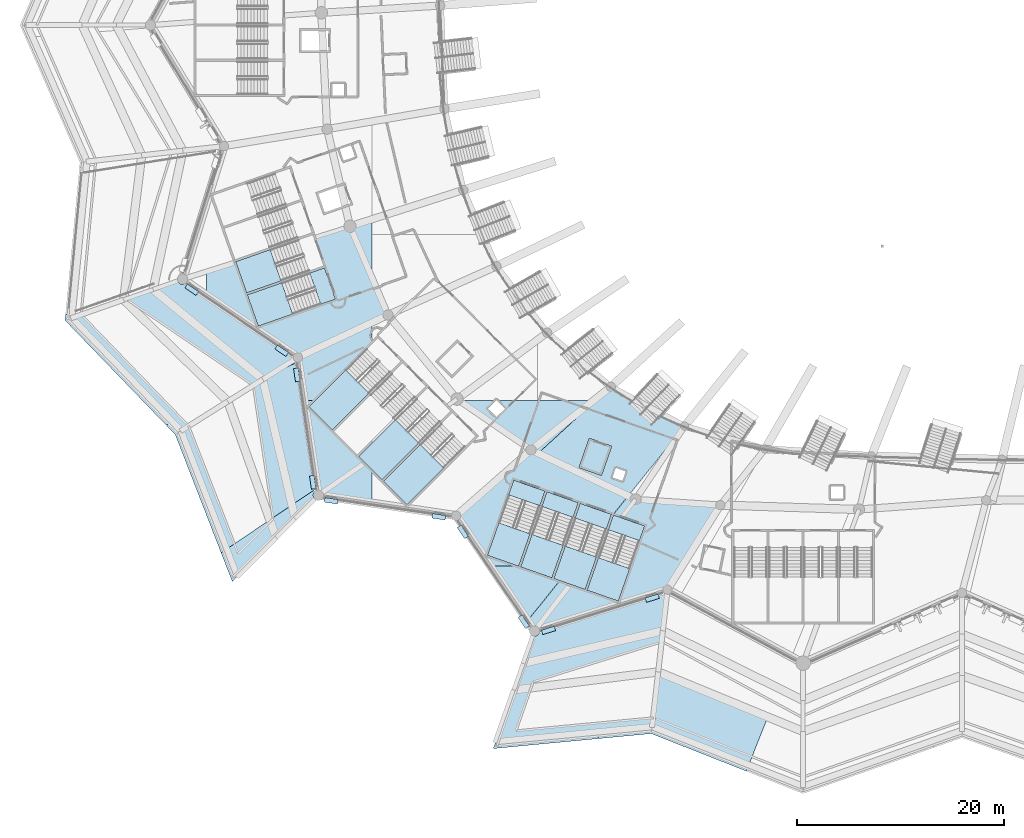
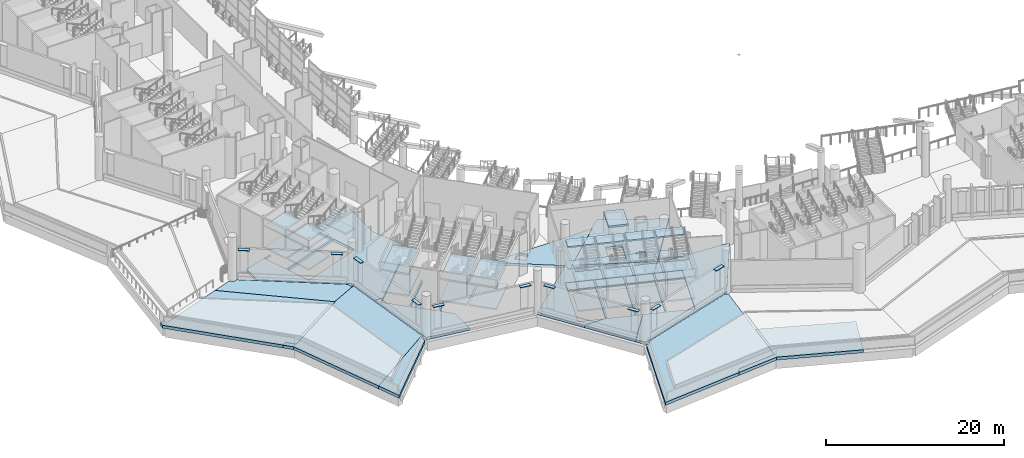
# One storey, part 21 of 173: 44 slabs, 10 plates, 9 elements without a shape of their own.
"""IFC4 building model written with IfcOpenShell, lengths in metres."""

from ifc_helpers import new_model, si_unit, direction, frame, origin, origin_2d, place, context, subcontext, project, spatial, polyline, rectangle, outline, extrude, material, layer, layer_set, type_object, element, aggregate, save


model = new_model("IFC4")

# Units and contexts
model_context = context("Model", 3, precision=1e-05, world=origin(), true_north=direction((0.0, 1.0)))
body_context = subcontext(model_context, "Body", "Model", "MODEL_VIEW")
ifc_project = project(units=[si_unit("LENGTHUNIT", "METRE"), si_unit("AREAUNIT", "SQUARE_METRE"), si_unit("VOLUMEUNIT", "CUBIC_METRE"), si_unit("PLANEANGLEUNIT", "RADIAN"), si_unit("MASSUNIT", "GRAM", prefix="KILO")], contexts=[model_context])

# Site, building, storey
site_placement = place(None, origin())
site = spatial("IfcSite", under=ifc_project, at=site_placement, CompositionType="ELEMENT")
building_placement = place(site_placement, origin())
building = spatial("IfcBuilding", under=site, at=building_placement, Name="Meseta Stadium", CompositionType="ELEMENT")
storey_placement = place(building_placement, frame((0.0, 0.0, 18.0)))
storey = spatial("IfcBuildingStorey", under=building, at=storey_placement, Name="L03", CompositionType="ELEMENT", Elevation=18.0)

# Slabs
ifc_material_1 = material(Name="Concrete C40/50", Category="concrete")
ifc_layer_1 = layer(ifc_material_1, 0.25)
ifc_layer_set_1 = layer_set([ifc_layer_1], Name="Core roof slab 250")
slab_type_1 = type_object("IfcSlabType", Name="Core roof slab 250", PredefinedType="ROOF", material=ifc_layer_set_1)
slab_1_placement = place(storey_placement, frame((0.0, 0.0, 4.60009765625)))
element("IfcSlab", 1, at=slab_1_placement, inside=storey, type_object=slab_type_1, Name="Core 22 lift overrun roof", PredefinedType="ROOF", context=body_context, shape_type="SweptSolid", body=[
    extrude(outline(polyline([(-59.990478515625, -86.500732421875), (-58.999755859375, -83.669189453125), (-56.828857421875, -84.4287109375), (-57.819580078125, -87.260498046875), (-59.990478515625, -86.500732421875)])), origin(), (0.0, 0.0, 1.0), 0.25),
])
ifc_material_2 = material(Name="Concrete C40/50", Category="concrete")
ifc_layer_2 = layer(ifc_material_2, 0.35009765625)
ifc_layer_set_2 = layer_set([ifc_layer_2], Name="Floor slab 350")
slab_type_2 = type_object("IfcSlabType", Name="Floor slab 350", PredefinedType="FLOOR", material=ifc_layer_set_2)
slab_2_placement = place(storey_placement, frame((0.0, 0.0, -0.35009765625)))
element("IfcSlab", 2, at=slab_2_placement, inside=storey, type_object=slab_type_2, Name="Floor slab L03 sector 35 panel 04", PredefinedType="FLOOR", context=body_context, shape_type="SweptSolid", body=[
    extrude(outline(polyline([(-80.0, -62.44580078125), (-85.63037109375, -64.211181640625), (-84.647705078125, -67.01953125), (-92.104248046875, -69.62890625), (-93.1611328125, -66.6083984375), (-92.1708984375, -66.26171875), (-96.0, -67.46240234375), (-96.0, -69.85205078125), (-87.15087890625, -75.856689453125), (-86.53564453125, -80.0), (-85.475341796875, -80.0), (-80.0, -74.524658203125), (-80.0, -72.84228515625), (-78.246337890625, -71.998779296875), (-78.4453125, -71.756103515625), (-80.0, -68.13232421875), (-80.0, -62.44580078125)]), holes=[polyline([(-92.0380859375, -69.8173828125), (-84.58154296875, -67.208251953125), (-83.524658203125, -70.228759765625), (-90.981201171875, -72.837890625), (-92.0380859375, -69.8173828125)])]), origin(), (0.0, 0.0, 1.0), 0.35009765625),
])
slab_3_placement = place(storey_placement, frame((0.0, 0.0, -0.35009765625)))
element("IfcSlab", 3, at=slab_3_placement, inside=storey, type_object=slab_type_2, Name="Floor slab L03 sector 35 panel 05", PredefinedType="FLOOR", context=body_context, shape_type="SweptSolid", body=[
    extrude(outline(polyline([(-83.688720703125, -83.02197265625), (-80.0, -79.3330078125), (-80.0, -79.05029296875), (-83.830078125, -82.880615234375), (-86.093017578125, -80.61767578125), (-85.475341796875, -80.0), (-86.53564453125, -80.0), (-85.173583984375, -89.173583984375), (-80.0, -89.94189453125), (-80.0, -86.710693359375), (-81.28466796875, -85.426025390625), (-80.0, -84.141357421875), (-80.0, -83.858642578125), (-81.426025390625, -85.28466796875), (-83.688720703125, -83.02197265625)])), origin(), (0.0, 0.0, 1.0), 0.35009765625),
])
slab_4_placement = place(storey_placement, frame((0.0, 0.0, -0.35009765625)))
element("IfcSlab", 4, at=slab_4_placement, inside=storey, type_object=slab_type_2, Name="Floor slab L03 sector 35 panel 12", PredefinedType="FLOOR", context=body_context, shape_type="SweptSolid", body=[
    extrude(outline(polyline([(-65.8173828125, -96.0380859375), (-65.9267578125, -96.0), (-68.56640625, -96.0), (-64.973388671875, -101.294921875), (-61.85107421875, -97.426025390625), (-62.419677734375, -97.227294921875), (-61.990234375, -96.0), (-62.201904296875, -96.0), (-62.6083984375, -97.1611328125), (-65.62890625, -96.104248046875), (-65.59228515625, -96.0), (-65.80419921875, -96.0), (-65.8173828125, -96.0380859375)])), origin(), (0.0, 0.0, 1.0), 0.35009765625),
])
slab_5_placement = place(storey_placement, frame((0.0, 0.0, -0.35009765625)))
element("IfcSlab", 5, at=slab_5_placement, inside=storey, type_object=slab_type_2, Name="Floor slab L03 sector 35 panel 13", PredefinedType="FLOOR", context=body_context, shape_type="SweptSolid", body=[
    extrude(outline(polyline([(-67.114501953125, -80.802001953125), (-67.963134765625, -81.650390625), (-68.811767578125, -80.802001953125), (-68.009765625, -80.0), (-71.61328125, -80.0), (-64.6220703125, -84.79248046875), (-71.856689453125, -91.15087890625), (-68.56640625, -96.0), (-65.9267578125, -96.0), (-68.837890625, -94.981201171875), (-66.294921875, -87.71337890625), (-63.2744140625, -88.770263671875), (-65.80419921875, -96.0), (-65.59228515625, -96.0), (-63.085693359375, -88.836181640625), (-60.065185546875, -89.893310546875), (-62.201904296875, -96.0), (-61.990234375, -96.0), (-59.87646484375, -89.959228515625), (-56.85595703125, -91.01611328125), (-56.9921875, -91.40576171875), (-55.242919921875, -89.238037109375), (-63.932373046875, -85.119384765625), (-58.33984375, -80.0), (-67.91650390625, -80.0), (-67.114501953125, -80.802001953125)])), origin(), (0.0, 0.0, 1.0), 0.35009765625),
])
slab_6_placement = place(storey_placement, frame((0.0, 0.0, -0.35009765625)))
element("IfcSlab", 6, at=slab_6_placement, inside=storey, type_object=slab_type_2, Name="Floor slab L03 sector 35 panel 15", PredefinedType="FLOOR", context=body_context, shape_type="SweptSolid", body=[
    extrude(outline(polyline([(-54.63330078125, -80.13134765625), (-55.786865234375, -79.433837890625), (-56.9150390625, -78.69580078125), (-58.563720703125, -80.0), (-58.33984375, -80.0), (-63.932373046875, -85.119384765625), (-55.242919921875, -89.238037109375), (-49.80078125, -82.494873046875), (-51.03271484375, -81.971923828125), (-52.254638671875, -81.401123046875), (-53.455322265625, -80.78759765625), (-54.63330078125, -80.13134765625)]), holes=[polyline([(-57.9423828125, -87.005615234375), (-59.735595703125, -86.378173828125), (-58.876953125, -83.924072265625), (-57.08349609375, -84.551513671875), (-57.9423828125, -87.005615234375)]), polyline([(-55.787841796875, -87.8125), (-56.779052734375, -87.4658203125), (-56.44873046875, -86.521728515625), (-55.45751953125, -86.86865234375), (-55.787841796875, -87.8125)])]), origin(), (0.0, 0.0, 1.0), 0.35009765625),
])
slab_7_placement = place(storey_placement, frame((0.0, 0.0, -0.35009765625)))
element("IfcSlab", 7, at=slab_7_placement, inside=storey, type_object=slab_type_2, Name="Floor slab L03 sector 42 panel 01", PredefinedType="FLOOR", context=body_context, shape_type="SweptSolid", body=[
    extrude(outline(polyline([(-59.399169921875, -98.2841796875), (-61.8310546875, -97.43310546875), (-64.961669921875, -101.312255859375), (-64.297607421875, -102.291015625), (-51.44140625, -98.29443359375), (-46.333251953125, -90.126220703125), (-54.523193359375, -89.579345703125), (-55.224365234375, -89.246826171875), (-57.011962890625, -91.4619140625), (-59.399169921875, -98.2841796875)]), holes=[polyline([(-56.667236328125, -91.082275390625), (-53.646728515625, -92.13916015625), (-56.18994140625, -99.406982421875), (-59.21044921875, -98.35009765625), (-56.667236328125, -91.082275390625)])]), origin(), (0.0, 0.0, 1.0), 0.35009765625),
])

# Plates
ifc_material_3 = material(Name="White precast concrete C40/50", Category="concrete")
ifc_layer_3 = layer(ifc_material_3, 0.080078125)
ifc_layer_set_3 = layer_set([ifc_layer_3], Name="Louvre hood 1300x450")
plate_type = type_object("IfcPlateType", Name="Louvre hood 1300x450", PredefinedType="USERDEFINED", material=ifc_layer_set_3)
for number, where, z_axis, x_axis, name in (
    (8, (-88.712646484375, -75.219970703125, 4.25), (0.0, 0.0, 1.0), (0.827483291834, -0.561490339842, 0.0), "Louvre hood L03 F38"),
    (9, (-97.401123046875, -69.32421875, 4.25), (0.0, 0.0, 1.0), (0.827483291834, -0.561490339842, 0.0), "Louvre hood L03 F38"),
    (10, (-87.254638671875, -77.540283203125, 4.25), (0.0, 0.0, 1.0), (0.146853771096, -0.989158212782, 0.0), "Louvre hood L03 F39"),
    (11, (-85.712646484375, -87.926513671875, 4.25), (0.0, 0.0, 1.0), (0.146853771096, -0.989158212782, 0.0), "Louvre hood L03 F39"),
    (12, (-73.540283203125, -91.254638671875, 4.25), (0.0, 0.0, 1.0), (0.989158212782, -0.146853771096, 0.0), "Louvre hood L03 F40"),
    (13, (-83.926513671875, -89.712646484375, 4.25), (0.0, 0.0, 1.0), (0.989158212782, -0.146853771096, 0.0), "Louvre hood L03 F40"),
    (14, (-71.219970703125, -92.712646484375, 4.25), (0.0, 0.0, 1.0), (0.561490339842, -0.827483291834, 0.0), "Louvre hood L03 F41"),
    (15, (-65.32421875, -101.401123046875, 4.25), (0.0, 0.0, 1.0), (0.561490339842, -0.827483291834, 0.0), "Louvre hood L03 F41"),
    (16, (-52.9130859375, -99.118408203125, 4.25), (0.0, 0.0, 1.0), (0.954918218455, 0.296868988045, 0.0), "Louvre hood L03 F42"),
    (17, (-62.93994140625, -102.235595703125, 4.25), (0.0, 0.0, 1.0), (0.954918218455, 0.296868988045, 0.0), "Louvre hood L03 F42"),
):
    element("IfcPlate", number, at=place(storey_placement, frame(where, z_axis=z_axis, x_axis=x_axis)), inside=storey, type_object=plate_type, Name=name, ObjectType="LOUVRE", PredefinedType="USERDEFINED", context=body_context, shape_type="SweptSolid", body=[
        extrude(rectangle(XDim=1.300048828125, YDim=0.449951171875, at=origin_2d()), origin(), (0.0, 0.0, 1.0), 0.080078125),
    ])

# Slabs
ifc_material_4 = material(Name="Concrete C40/50", Category="concrete")
ifc_layer_4 = layer(ifc_material_4, 0.39990234375)
ifc_layer_set_4 = layer_set([ifc_layer_4], Name="Roof garden slab 400")
slab_type_3 = type_object("IfcSlabType", Name="Roof garden slab 400", PredefinedType="ROOF", material=ifc_layer_set_4)
slab_8_placement = place(storey_placement, frame((0.0, 0.0, -0.39990234375)))
element("IfcSlab", 18, at=slab_8_placement, inside=storey, type_object=slab_type_3, Name="Roof garden slab 6 panel 01", PredefinedType="ROOF", context=body_context, shape_type="SweptSolid", body=[
    extrude(outline(polyline([(-63.94091796875, -102.647705078125), (-64.04541015625, -102.727783203125), (-64.1669921875, -102.7783203125), (-64.297607421875, -102.79541015625), (-64.427978515625, -102.7783203125), (-64.462890625, -102.763916015625), (-68.273193359375, -113.6533203125), (-58.19482421875, -112.697998046875), (-54.630126953125, -106.531005859375), (-57.842529296875, -112.08837890625), (-52.94189453125, -111.610107421875), (-51.491943359375, -98.74169921875), (-51.558837890625, -98.73291015625), (-51.66845703125, -98.6875), (-51.762451171875, -98.615478515625), (-51.802001953125, -98.563720703125), (-63.793212890625, -102.29150390625), (-63.810302734375, -102.421630859375), (-63.860595703125, -102.543212890625), (-63.94091796875, -102.647705078125)])), origin(), (0.0, 0.0, 1.0), 0.39990234375),
])
slab_9_placement = place(storey_placement, frame((0.0, 0.0, -0.39990234375)))
element("IfcSlab", 19, at=slab_9_placement, inside=storey, type_object=slab_type_3, Name="Roof garden slab 6 panel 02", PredefinedType="ROOF", context=body_context, shape_type="SweptSolid", body=[
    extrude(outline(polyline([(-52.94189453125, -111.610107421875), (-57.842529296875, -112.08837890625), (-58.19482421875, -112.697998046875), (-53.009033203125, -112.206298828125), (-43.822509765625, -115.8330078125), (-41.7451171875, -110.59765625), (-52.337158203125, -106.244140625), (-52.94189453125, -111.610107421875)])), origin(), (0.0, 0.0, 1.0), 0.39990234375),
])
slab_10_placement = place(storey_placement, frame((0.0, 0.0, -0.39990234375)))
element("IfcSlab", 20, at=slab_10_placement, inside=storey, type_object=slab_type_3, Name="Roof garden slab 5 part 2 panel 04", PredefinedType="ROOF", context=body_context, shape_type="SweptSolid", body=[
    extrude(outline(polyline([(-90.53759765625, -77.98486328125), (-90.55322265625, -77.91748046875), (-90.59521484375, -77.937744140625), (-101.140380859375, -69.29443359375), (-109.0869140625, -72.0751953125), (-109.03564453125, -71.54931640625), (-109.601318359375, -71.726806640625), (-109.6533203125, -72.273193359375), (-99.877197265625, -82.401611328125), (-99.322998046875, -82.135009765625), (-98.496826171875, -82.986083984375), (-90.53759765625, -77.98486328125)])), origin(), (0.0, 0.0, 1.0), 0.39990234375),
])
slab_11_placement = place(storey_placement, frame((0.0, 0.0, -0.39990234375)))
element("IfcSlab", 21, at=slab_11_placement, inside=storey, type_object=slab_type_3, Name="Roof garden slab 5 part 2 panel 05", PredefinedType="ROOF", context=body_context, shape_type="SweptSolid", body=[
    extrude(outline(polyline([(-98.421630859375, -68.78466796875), (-98.543212890625, -68.734130859375), (-98.647705078125, -68.654052734375), (-98.727783203125, -68.549560546875), (-98.763916015625, -68.462890625), (-101.140380859375, -69.29443359375), (-90.59521484375, -77.937744140625), (-87.2333984375, -76.32080078125), (-87.23681640625, -76.29931640625), (-87.268310546875, -76.295166015625), (-87.377685546875, -76.249755859375), (-87.4716796875, -76.177734375), (-87.5439453125, -76.083740234375), (-87.589111328125, -75.97412109375), (-87.604736328125, -75.856689453125), (-87.58935546875, -75.740478515625), (-97.980712890625, -68.689453125), (-98.0390625, -68.734130859375), (-98.16064453125, -68.78466796875), (-98.291015625, -68.8017578125), (-98.421630859375, -68.78466796875)])), origin(), (0.0, 0.0, 1.0), 0.39990234375),
])
slab_12_placement = place(storey_placement, frame((0.0, 0.0, -0.39990234375)))
element("IfcSlab", 22, at=slab_12_placement, inside=storey, type_object=slab_type_3, Name="Roof garden slab 5 part 2 panel 06", PredefinedType="ROOF", context=body_context, shape_type="SweptSolid", body=[
    extrude(outline(polyline([(-99.322998046875, -82.135009765625), (-99.877197265625, -82.401611328125), (-99.0048828125, -83.30517578125), (-94.5693359375, -94.735107421875), (-85.4169921875, -88.556640625), (-87.2333984375, -76.32080078125), (-90.55322265625, -77.91748046875), (-90.53759765625, -77.98486328125), (-98.496826171875, -82.986083984375), (-99.322998046875, -82.135009765625)])), origin(), (0.0, 0.0, 1.0), 0.39990234375),
])
slab_13_placement = place(storey_placement, frame((0.0, 0.0, -0.39990234375)))
element("IfcSlab", 23, at=slab_13_placement, inside=storey, type_object=slab_type_3, Name="Roof garden slab 5 part 2 panel 07", PredefinedType="ROOF", context=body_context, shape_type="SweptSolid", body=[
    extrude(outline(polyline([(-85.4169921875, -88.556640625), (-94.5693359375, -94.735107421875), (-93.49755859375, -97.49755859375), (-85.5302734375, -89.5302734375), (-85.610595703125, -89.42578125), (-85.660888671875, -89.30419921875), (-85.677978515625, -89.173583984375), (-85.660888671875, -89.043212890625), (-85.610595703125, -88.921630859375), (-85.5302734375, -88.817138671875), (-85.42578125, -88.737060546875), (-85.392333984375, -88.722900390625), (-85.4169921875, -88.556640625)])), origin(), (0.0, 0.0, 1.0), 0.39990234375),
])

# Stair, slabs
ifc_material_5 = material(Name="Concrete C40/50", Category="concrete")
stair_type = type_object("IfcStairType", Name="Exit stair 4 flights 150 mm risers", PredefinedType="HALF_TURN_STAIR", material=ifc_material_5)
stair_1_placement = place(storey_placement, origin())
stair_1 = element("IfcStair", 24, at=stair_1_placement, inside=storey, type_object=stair_type, Name="ST79 L03", PredefinedType="HALF_TURN_STAIR")
ifc_material_6 = material(Name="Concrete C40/50", Category="concrete")
ifc_layer_5 = layer(ifc_material_6, 0.199951171875)
ifc_layer_set_5 = layer_set([ifc_layer_5], Name="Stair landing 200")
slab_type_4 = type_object("IfcSlabType", Name="Stair landing 200", PredefinedType="LANDING", material=ifc_layer_set_5)
slab_14_placement = place(storey_placement, frame((0.0, 0.0, 1.300048828125)))
slab_14 = element("IfcSlab", 25, at=slab_14_placement, type_object=slab_type_4, Name="ST79 L03 landing 1", PredefinedType="LANDING", context=body_context, shape_type="SweptSolid", body=[
    extrude(outline(polyline([(-89.829345703125, -65.4423828125), (-93.1611328125, -66.6083984375), (-92.104248046875, -69.628662109375), (-88.772216796875, -68.462890625), (-89.829345703125, -65.4423828125)])), origin(), (0.0, 0.0, 1.0), 0.199951171875),
])
slab_15_placement = place(storey_placement, frame((0.0, 0.0, 4.300048828125)))
slab_15 = element("IfcSlab", 26, at=slab_15_placement, type_object=slab_type_4, Name="ST79 L03 landing 3", PredefinedType="LANDING", context=body_context, shape_type="SweptSolid", body=[
    extrude(outline(polyline([(-89.829345703125, -65.4423828125), (-93.1611328125, -66.6083984375), (-92.104248046875, -69.628662109375), (-88.772216796875, -68.462890625), (-89.829345703125, -65.4423828125)])), origin(), (0.0, 0.0, 1.0), 0.199951171875),
])
aggregate(stair_1, [slab_14, slab_15])

stair_2_placement = place(storey_placement, origin())
stair_2 = element("IfcStair", 27, at=stair_2_placement, inside=storey, type_object=stair_type, Name="ST80 L03", PredefinedType="HALF_TURN_STAIR")
slab_16_placement = place(storey_placement, frame((0.0, 0.0, 1.300048828125)))
slab_16 = element("IfcSlab", 28, at=slab_16_placement, type_object=slab_type_4, Name="ST80 L03 landing 1", PredefinedType="LANDING", context=body_context, shape_type="SweptSolid", body=[
    extrude(outline(polyline([(-88.706298828125, -68.651611328125), (-92.0380859375, -69.817626953125), (-90.981201171875, -72.837890625), (-87.6494140625, -71.672119140625), (-88.706298828125, -68.651611328125)])), origin(), (0.0, 0.0, 1.0), 0.199951171875),
])
slab_17_placement = place(storey_placement, frame((0.0, 0.0, 2.800048828125)))
slab_17 = element("IfcSlab", 29, at=slab_17_placement, type_object=slab_type_4, Name="ST80 L03 landing 2", PredefinedType="LANDING", context=body_context, shape_type="SweptSolid", body=[
    extrude(outline(polyline([(-84.58154296875, -67.208251953125), (-86.0068359375, -67.70703125), (-84.949951171875, -70.7275390625), (-83.524658203125, -70.228759765625), (-84.58154296875, -67.208251953125)])), origin(), (0.0, 0.0, 1.0), 0.199951171875),
])
slab_18_placement = place(storey_placement, frame((0.0, 0.0, 4.300048828125)))
slab_18 = element("IfcSlab", 30, at=slab_18_placement, type_object=slab_type_4, Name="ST80 L03 landing 3", PredefinedType="LANDING", context=body_context, shape_type="SweptSolid", body=[
    extrude(outline(polyline([(-88.706298828125, -68.651611328125), (-92.0380859375, -69.817626953125), (-90.981201171875, -72.837890625), (-87.6494140625, -71.672119140625), (-88.706298828125, -68.651611328125)])), origin(), (0.0, 0.0, 1.0), 0.199951171875),
])
aggregate(stair_2, [slab_16, slab_17, slab_18])

stair_3_placement = place(storey_placement, origin())
stair_3 = element("IfcStair", 31, at=stair_3_placement, inside=storey, type_object=stair_type, Name="ST81 L03", PredefinedType="HALF_TURN_STAIR")
slab_19_placement = place(storey_placement, frame((0.0, 0.0, 1.300048828125)))
slab_19 = element("IfcSlab", 32, at=slab_19_placement, type_object=slab_type_4, Name="ST81 L03 landing 1", PredefinedType="LANDING", context=body_context, shape_type="SweptSolid", body=[
    extrude(outline(polyline([(-82.5361328125, -77.06103515625), (-86.093017578125, -80.61767578125), (-83.830322265625, -82.88037109375), (-80.2734375, -79.32373046875), (-82.5361328125, -77.06103515625)])), origin(), (0.0, 0.0, 1.0), 0.199951171875),
])
slab_20_placement = place(storey_placement, frame((0.0, 0.0, 4.300048828125)))
slab_20 = element("IfcSlab", 33, at=slab_20_placement, type_object=slab_type_4, Name="ST81 L03 landing 3", PredefinedType="LANDING", context=body_context, shape_type="SweptSolid", body=[
    extrude(outline(polyline([(-82.5361328125, -77.06103515625), (-86.093017578125, -80.61767578125), (-83.830322265625, -82.88037109375), (-80.2734375, -79.32373046875), (-82.5361328125, -77.06103515625)])), origin(), (0.0, 0.0, 1.0), 0.199951171875),
])
aggregate(stair_3, [slab_19, slab_20])

stair_4_placement = place(storey_placement, origin())
stair_4 = element("IfcStair", 34, at=stair_4_placement, inside=storey, type_object=stair_type, Name="ST83 L03", PredefinedType="HALF_TURN_STAIR")
slab_21_placement = place(storey_placement, frame((0.0, 0.0, 1.300048828125)))
slab_21 = element("IfcSlab", 35, at=slab_21_placement, type_object=slab_type_4, Name="ST83 L03 landing 1", PredefinedType="LANDING", context=body_context, shape_type="SweptSolid", body=[
    extrude(outline(polyline([(-77.727783203125, -81.869384765625), (-81.28466796875, -85.426025390625), (-79.02197265625, -87.688720703125), (-75.465087890625, -84.132080078125), (-77.727783203125, -81.869384765625)])), origin(), (0.0, 0.0, 1.0), 0.199951171875),
])
slab_22_placement = place(storey_placement, frame((0.0, 0.0, 4.300048828125)))
slab_22 = element("IfcSlab", 36, at=slab_22_placement, type_object=slab_type_4, Name="ST83 L03 landing 3", PredefinedType="LANDING", context=body_context, shape_type="SweptSolid", body=[
    extrude(outline(polyline([(-77.727783203125, -81.869384765625), (-81.28466796875, -85.426025390625), (-79.02197265625, -87.688720703125), (-75.465087890625, -84.132080078125), (-77.727783203125, -81.869384765625)])), origin(), (0.0, 0.0, 1.0), 0.199951171875),
])
aggregate(stair_4, [slab_21, slab_22])

stair_5_placement = place(storey_placement, origin())
stair_5 = element("IfcStair", 37, at=stair_5_placement, inside=storey, type_object=stair_type, Name="ST84 L03", PredefinedType="HALF_TURN_STAIR")
slab_23_placement = place(storey_placement, frame((0.0, 0.0, 1.300048828125)))
slab_23 = element("IfcSlab", 38, at=slab_23_placement, type_object=slab_type_4, Name="ST84 L03 landing 1", PredefinedType="LANDING", context=body_context, shape_type="SweptSolid", body=[
    extrude(outline(polyline([(-75.32373046875, -84.2734375), (-78.88037109375, -87.830322265625), (-76.61767578125, -90.093017578125), (-73.06103515625, -86.5361328125), (-75.32373046875, -84.2734375)])), origin(), (0.0, 0.0, 1.0), 0.199951171875),
])
slab_24_placement = place(storey_placement, frame((0.0, 0.0, 4.300048828125)))
slab_24 = element("IfcSlab", 39, at=slab_24_placement, type_object=slab_type_4, Name="ST84 L03 landing 3", PredefinedType="LANDING", context=body_context, shape_type="SweptSolid", body=[
    extrude(outline(polyline([(-75.32373046875, -84.2734375), (-78.88037109375, -87.830322265625), (-76.61767578125, -90.093017578125), (-73.06103515625, -86.5361328125), (-75.32373046875, -84.2734375)])), origin(), (0.0, 0.0, 1.0), 0.199951171875),
])
aggregate(stair_5, [slab_23, slab_24])

stair_6_placement = place(storey_placement, origin())
stair_6 = element("IfcStair", 40, at=stair_6_placement, inside=storey, type_object=stair_type, Name="ST85 L03", PredefinedType="HALF_TURN_STAIR")
slab_25_placement = place(storey_placement, frame((0.0, 0.0, 1.300048828125)))
slab_25 = element("IfcSlab", 41, at=slab_25_placement, type_object=slab_type_4, Name="ST85 L03 landing 1", PredefinedType="LANDING", context=body_context, shape_type="SweptSolid", body=[
    extrude(outline(polyline([(-67.738037109375, -91.838134765625), (-68.837890625, -94.981201171875), (-65.817626953125, -96.0380859375), (-64.7177734375, -92.89501953125), (-67.738037109375, -91.838134765625)])), origin(), (0.0, 0.0, 1.0), 0.199951171875),
])
slab_26_placement = place(storey_placement, frame((0.0, 0.0, 2.800048828125)))
slab_26 = element("IfcSlab", 42, at=slab_26_placement, type_object=slab_type_4, Name="ST85 L03 landing 2", PredefinedType="LANDING", context=body_context, shape_type="SweptSolid", body=[
    extrude(outline(polyline([(-66.294921875, -87.71337890625), (-66.79345703125, -89.138671875), (-63.773193359375, -90.195556640625), (-63.2744140625, -88.770263671875), (-66.294921875, -87.71337890625)])), origin(), (0.0, 0.0, 1.0), 0.199951171875),
])
slab_27_placement = place(storey_placement, frame((0.0, 0.0, 4.300048828125)))
slab_27 = element("IfcSlab", 43, at=slab_27_placement, type_object=slab_type_4, Name="ST85 L03 landing 3", PredefinedType="LANDING", context=body_context, shape_type="SweptSolid", body=[
    extrude(outline(polyline([(-67.738037109375, -91.838134765625), (-68.837890625, -94.981201171875), (-65.817626953125, -96.0380859375), (-64.7177734375, -92.89501953125), (-67.738037109375, -91.838134765625)])), origin(), (0.0, 0.0, 1.0), 0.199951171875),
])
slab_28_placement = place(storey_placement, frame((0.0, 0.0, -0.199951171875)))
slab_28 = element("IfcSlab", 44, at=slab_28_placement, type_object=slab_type_4, Name="ST85 L03 landing 4", PredefinedType="LANDING", context=body_context, shape_type="SweptSolid", body=[
    extrude(outline(polyline([(-66.294921875, -87.71337890625), (-66.79345703125, -89.138671875), (-63.773193359375, -90.195556640625), (-63.2744140625, -88.770263671875), (-66.294921875, -87.71337890625)])), origin(), (0.0, 0.0, 1.0), 0.199951171875),
])
slab_29_placement = place(storey_placement, frame((0.0, 0.0, 5.800048828125)))
slab_29 = element("IfcSlab", 45, at=slab_29_placement, type_object=slab_type_4, Name="ST85 L03 landing 5", PredefinedType="LANDING", context=body_context, shape_type="SweptSolid", body=[
    extrude(outline(polyline([(-66.294921875, -87.71337890625), (-66.79345703125, -89.138671875), (-63.773193359375, -90.195556640625), (-63.2744140625, -88.770263671875), (-66.294921875, -87.71337890625)])), origin(), (0.0, 0.0, 1.0), 0.199951171875),
])
aggregate(stair_6, [slab_25, slab_26, slab_27, slab_28, slab_29])

stair_7_placement = place(storey_placement, origin())
stair_7 = element("IfcStair", 46, at=stair_7_placement, inside=storey, type_object=stair_type, Name="ST86 L03", PredefinedType="HALF_TURN_STAIR")
slab_30_placement = place(storey_placement, frame((0.0, 0.0, 1.300048828125)))
slab_30 = element("IfcSlab", 47, at=slab_30_placement, type_object=slab_type_4, Name="ST86 L03 landing 1", PredefinedType="LANDING", context=body_context, shape_type="SweptSolid", body=[
    extrude(outline(polyline([(-64.529052734375, -92.961181640625), (-65.628662109375, -96.104248046875), (-62.6083984375, -97.1611328125), (-61.508544921875, -94.01806640625), (-64.529052734375, -92.961181640625)])), origin(), (0.0, 0.0, 1.0), 0.199951171875),
])
slab_31_placement = place(storey_placement, frame((0.0, 0.0, 2.800048828125)))
slab_31 = element("IfcSlab", 48, at=slab_31_placement, type_object=slab_type_4, Name="ST86 L03 landing 2", PredefinedType="LANDING", context=body_context, shape_type="SweptSolid", body=[
    extrude(outline(polyline([(-63.085693359375, -88.83642578125), (-63.584228515625, -90.26171875), (-60.56396484375, -91.318603515625), (-60.065185546875, -89.893310546875), (-63.085693359375, -88.83642578125)])), origin(), (0.0, 0.0, 1.0), 0.199951171875),
])
slab_32_placement = place(storey_placement, frame((0.0, 0.0, 4.300048828125)))
slab_32 = element("IfcSlab", 49, at=slab_32_placement, type_object=slab_type_4, Name="ST86 L03 landing 3", PredefinedType="LANDING", context=body_context, shape_type="SweptSolid", body=[
    extrude(outline(polyline([(-64.529052734375, -92.961181640625), (-65.628662109375, -96.104248046875), (-62.6083984375, -97.1611328125), (-61.508544921875, -94.01806640625), (-64.529052734375, -92.961181640625)])), origin(), (0.0, 0.0, 1.0), 0.199951171875),
])
slab_33_placement = place(storey_placement, frame((0.0, 0.0, -0.199951171875)))
slab_33 = element("IfcSlab", 50, at=slab_33_placement, type_object=slab_type_4, Name="ST86 L03 landing 4", PredefinedType="LANDING", context=body_context, shape_type="SweptSolid", body=[
    extrude(outline(polyline([(-63.085693359375, -88.83642578125), (-63.584228515625, -90.26171875), (-60.56396484375, -91.318603515625), (-60.065185546875, -89.893310546875), (-63.085693359375, -88.83642578125)])), origin(), (0.0, 0.0, 1.0), 0.199951171875),
])
slab_34_placement = place(storey_placement, frame((0.0, 0.0, 5.800048828125)))
slab_34 = element("IfcSlab", 51, at=slab_34_placement, type_object=slab_type_4, Name="ST86 L03 landing 5", PredefinedType="LANDING", context=body_context, shape_type="SweptSolid", body=[
    extrude(outline(polyline([(-63.085693359375, -88.83642578125), (-63.584228515625, -90.26171875), (-60.56396484375, -91.318603515625), (-60.065185546875, -89.893310546875), (-63.085693359375, -88.83642578125)])), origin(), (0.0, 0.0, 1.0), 0.199951171875),
])
aggregate(stair_7, [slab_30, slab_31, slab_32, slab_33, slab_34])

stair_8_placement = place(storey_placement, origin())
stair_8 = element("IfcStair", 52, at=stair_8_placement, inside=storey, type_object=stair_type, Name="ST87 L03", PredefinedType="HALF_TURN_STAIR")
slab_35_placement = place(storey_placement, frame((0.0, 0.0, 1.300048828125)))
slab_35 = element("IfcSlab", 53, at=slab_35_placement, type_object=slab_type_4, Name="ST87 L03 landing 1", PredefinedType="LANDING", context=body_context, shape_type="SweptSolid", body=[
    extrude(outline(polyline([(-61.31982421875, -94.083984375), (-62.419677734375, -97.227294921875), (-59.399169921875, -98.2841796875), (-58.29931640625, -95.140869140625), (-61.31982421875, -94.083984375)])), origin(), (0.0, 0.0, 1.0), 0.199951171875),
])
slab_36_placement = place(storey_placement, frame((0.0, 0.0, 2.800048828125)))
slab_36 = element("IfcSlab", 54, at=slab_36_placement, type_object=slab_type_4, Name="ST87 L03 landing 2", PredefinedType="LANDING", context=body_context, shape_type="SweptSolid", body=[
    extrude(outline(polyline([(-59.87646484375, -89.959228515625), (-60.375244140625, -91.384521484375), (-57.354736328125, -92.44140625), (-56.85595703125, -91.01611328125), (-59.87646484375, -89.959228515625)])), origin(), (0.0, 0.0, 1.0), 0.199951171875),
])
slab_37_placement = place(storey_placement, frame((0.0, 0.0, 4.300048828125)))
slab_37 = element("IfcSlab", 55, at=slab_37_placement, type_object=slab_type_4, Name="ST87 L03 landing 3", PredefinedType="LANDING", context=body_context, shape_type="SweptSolid", body=[
    extrude(outline(polyline([(-61.31982421875, -94.083984375), (-62.419677734375, -97.227294921875), (-59.399169921875, -98.2841796875), (-58.29931640625, -95.140869140625), (-61.31982421875, -94.083984375)])), origin(), (0.0, 0.0, 1.0), 0.199951171875),
])
slab_38_placement = place(storey_placement, frame((0.0, 0.0, -0.199951171875)))
slab_38 = element("IfcSlab", 56, at=slab_38_placement, type_object=slab_type_4, Name="ST87 L03 landing 4", PredefinedType="LANDING", context=body_context, shape_type="SweptSolid", body=[
    extrude(outline(polyline([(-59.87646484375, -89.959228515625), (-60.375244140625, -91.384521484375), (-57.354736328125, -92.44140625), (-56.85595703125, -91.01611328125), (-59.87646484375, -89.959228515625)])), origin(), (0.0, 0.0, 1.0), 0.199951171875),
])
slab_39_placement = place(storey_placement, frame((0.0, 0.0, 5.800048828125)))
slab_39 = element("IfcSlab", 57, at=slab_39_placement, type_object=slab_type_4, Name="ST87 L03 landing 5", PredefinedType="LANDING", context=body_context, shape_type="SweptSolid", body=[
    extrude(outline(polyline([(-59.87646484375, -89.959228515625), (-60.375244140625, -91.384521484375), (-57.354736328125, -92.44140625), (-56.85595703125, -91.01611328125), (-59.87646484375, -89.959228515625)])), origin(), (0.0, 0.0, 1.0), 0.199951171875),
])
aggregate(stair_8, [slab_35, slab_36, slab_37, slab_38, slab_39])

stair_9_placement = place(storey_placement, origin())
stair_9 = element("IfcStair", 58, at=stair_9_placement, inside=storey, type_object=stair_type, Name="ST88 L03", PredefinedType="HALF_TURN_STAIR")
slab_40_placement = place(storey_placement, frame((0.0, 0.0, 1.300048828125)))
slab_40 = element("IfcSlab", 59, at=slab_40_placement, type_object=slab_type_4, Name="ST88 L03 landing 1", PredefinedType="LANDING", context=body_context, shape_type="SweptSolid", body=[
    extrude(outline(polyline([(-58.110595703125, -95.20703125), (-59.21044921875, -98.35009765625), (-56.18994140625, -99.406982421875), (-55.090087890625, -96.263916015625), (-58.110595703125, -95.20703125)])), origin(), (0.0, 0.0, 1.0), 0.199951171875),
])
slab_41_placement = place(storey_placement, frame((0.0, 0.0, 2.800048828125)))
slab_41 = element("IfcSlab", 60, at=slab_41_placement, type_object=slab_type_4, Name="ST88 L03 landing 2", PredefinedType="LANDING", context=body_context, shape_type="SweptSolid", body=[
    extrude(outline(polyline([(-56.667236328125, -91.082275390625), (-57.166015625, -92.507568359375), (-54.1455078125, -93.564453125), (-53.646728515625, -92.13916015625), (-56.667236328125, -91.082275390625)])), origin(), (0.0, 0.0, 1.0), 0.199951171875),
])
slab_42_placement = place(storey_placement, frame((0.0, 0.0, 4.300048828125)))
slab_42 = element("IfcSlab", 61, at=slab_42_placement, type_object=slab_type_4, Name="ST88 L03 landing 3", PredefinedType="LANDING", context=body_context, shape_type="SweptSolid", body=[
    extrude(outline(polyline([(-58.110595703125, -95.20703125), (-59.21044921875, -98.35009765625), (-56.18994140625, -99.406982421875), (-55.090087890625, -96.263916015625), (-58.110595703125, -95.20703125)])), origin(), (0.0, 0.0, 1.0), 0.199951171875),
])
slab_43_placement = place(storey_placement, frame((0.0, 0.0, -0.199951171875)))
slab_43 = element("IfcSlab", 62, at=slab_43_placement, type_object=slab_type_4, Name="ST88 L03 landing 4", PredefinedType="LANDING", context=body_context, shape_type="SweptSolid", body=[
    extrude(outline(polyline([(-56.667236328125, -91.082275390625), (-57.166015625, -92.507568359375), (-54.1455078125, -93.564453125), (-53.646728515625, -92.13916015625), (-56.667236328125, -91.082275390625)])), origin(), (0.0, 0.0, 1.0), 0.199951171875),
])
slab_44_placement = place(storey_placement, frame((0.0, 0.0, 5.800048828125)))
slab_44 = element("IfcSlab", 63, at=slab_44_placement, type_object=slab_type_4, Name="ST88 L03 landing 5", PredefinedType="LANDING", context=body_context, shape_type="SweptSolid", body=[
    extrude(outline(polyline([(-56.667236328125, -91.082275390625), (-57.166015625, -92.507568359375), (-54.1455078125, -93.564453125), (-53.646728515625, -92.13916015625), (-56.667236328125, -91.082275390625)])), origin(), (0.0, 0.0, 1.0), 0.199951171875),
])
aggregate(stair_9, [slab_40, slab_41, slab_42, slab_43, slab_44])

save(model, "model.ifc")
